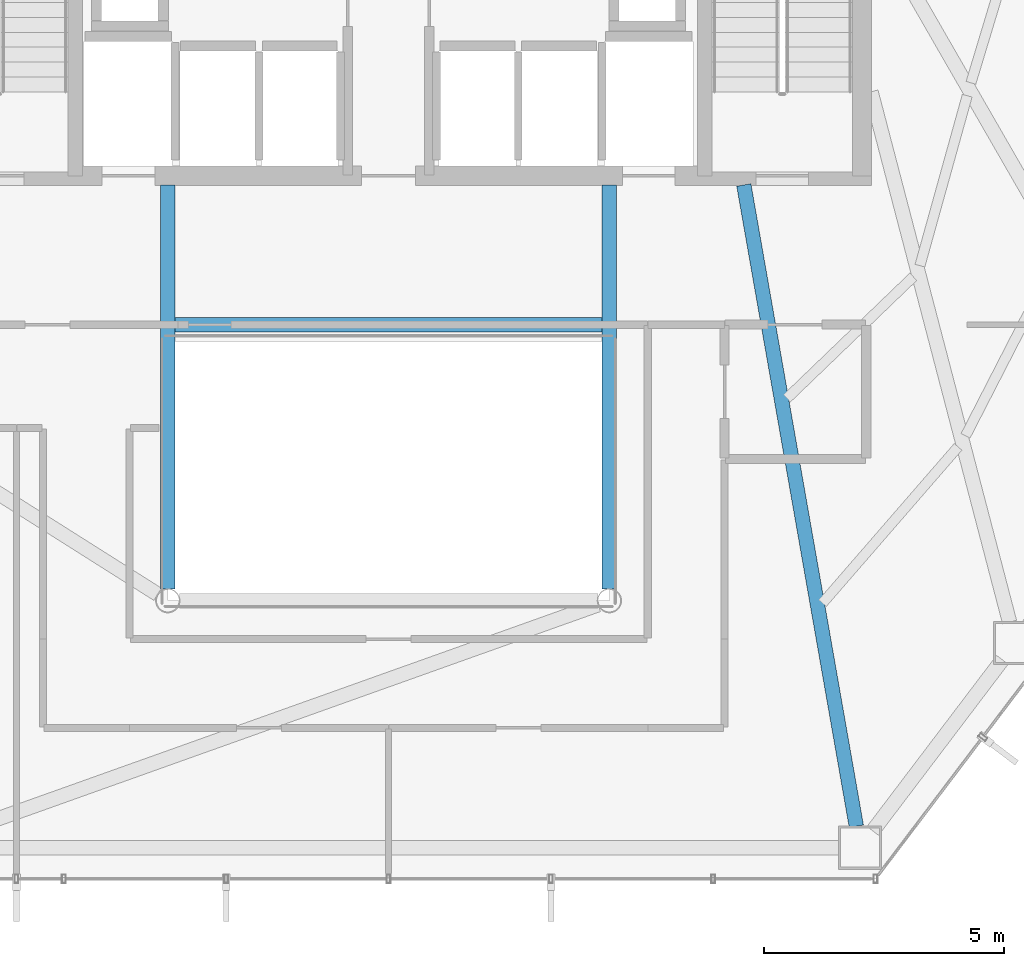
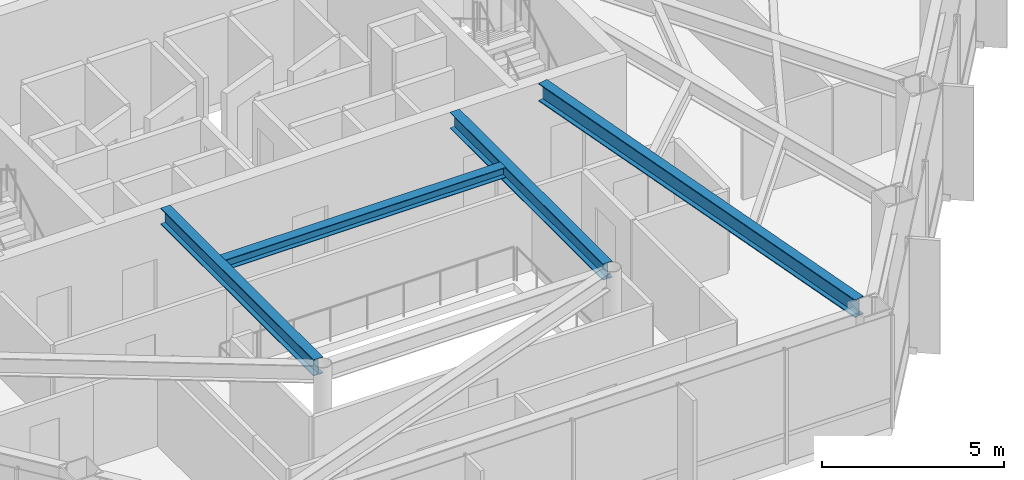
# One storey, part 9 of 24: 4 beams.
"""IFC4 building model written with IfcOpenShell, lengths in metres."""

from ifc_helpers import new_model, si_unit, direction, frame, origin, origin_2d, place, context, subcontext, project, spatial, i_section, extrude, material, material_profile, profile_set, type_object, element, save


model = new_model("IFC4")

# Units and contexts
model_context = context("Model", 3, precision=1e-05, world=origin(), true_north=direction((0.0, 1.0)))
body_context = subcontext(model_context, "Body", "Model", "MODEL_VIEW")
ifc_project = project(units=[si_unit("LENGTHUNIT", "METRE"), si_unit("AREAUNIT", "SQUARE_METRE"), si_unit("VOLUMEUNIT", "CUBIC_METRE"), si_unit("PLANEANGLEUNIT", "RADIAN"), si_unit("MASSUNIT", "GRAM", prefix="KILO")], contexts=[model_context])

# Site, building, storey
site_placement = place(None, origin())
site = spatial("IfcSite", under=ifc_project, at=site_placement, CompositionType="ELEMENT")
building_placement = place(site_placement, origin())
building = spatial("IfcBuilding", under=site, at=building_placement, Name="Zarrinselat Tower", CompositionType="ELEMENT")
storey_placement = place(building_placement, frame((0.0, 0.0, 76.5)))
storey = spatial("IfcBuildingStorey", under=building, at=storey_placement, Name="L18", CompositionType="ELEMENT", Elevation=76.5)

# Beams
ifc_material_1 = material(Name="Steel S355J2", Category="steel")
ifc_material_profile_1 = material_profile(ifc_material_1, i_section(OverallWidth=0.300048828125, OverallDepth=0.35009765625, WebThickness=0.010009765625, FlangeThickness=0.017578125, at=origin_2d()), Name="HEA 360")
ifc_profile_set_1 = profile_set([ifc_material_profile_1], Name="Steel S355J2")
beam_type_1 = type_object("IfcBeamType", Name="BM-HEA360", PredefinedType="LINTEL", material=ifc_profile_set_1)
beam_1_placement = place(storey_placement, frame((33.93994140625, 30.14990234375, 3.64501953125), z_axis=(1.0, 0.0, 0.0), x_axis=(0.0, 1.0, 0.0)))
element("IfcBeam", 1, at=beam_1_placement, inside=storey, type_object=beam_type_1, Name="L18 Lift Lobby Ceiling Beam", PredefinedType="LINTEL", context=body_context, shape_type="SweptSolid", body=[
    extrude(i_section(OverallWidth=0.300048828125, OverallDepth=0.35009765625, WebThickness=0.010009765625, FlangeThickness=0.017578125, at=origin_2d()), origin(), (0.0, 0.0, 1.0), 8.920166015625),
])
ifc_material_2 = material(Name="Steel S355J2", Category="steel")
ifc_material_profile_2 = material_profile(ifc_material_2, i_section(OverallWidth=0.300048828125, OverallDepth=0.550048828125, WebThickness=0.014892578125, FlangeThickness=0.029052734375, at=origin_2d()), Name="HEB 550")
ifc_profile_set_2 = profile_set([ifc_material_profile_2], Name="Steel S355J2")
beam_type_2 = type_object("IfcBeamType", Name="BM-HEB550", PredefinedType="BEAM", material=ifc_profile_set_2)
for number, where, z_axis, x_axis, name in (
    (2, (33.800048828125, 24.639892578125, 3.544921875), (0.0, 1.0, 0.0), (-1.0, 0.0, 0.0), "L18 Atrium Edge Beam W"),
    (3, (43.0, 24.639892578125, 3.544921875), (0.0, 1.0, 0.0), (-1.0, 0.0, 0.0), "L18 Atrium Edge Beam E"),
):
    element("IfcBeam", number, at=place(storey_placement, frame(where, z_axis=z_axis, x_axis=x_axis)), inside=storey, type_object=beam_type_2, Name=name, PredefinedType="BEAM", context=body_context, shape_type="SweptSolid", body=[
        extrude(i_section(OverallWidth=0.300048828125, OverallDepth=0.550048828125, WebThickness=0.014892578125, FlangeThickness=0.029052734375, at=origin_2d()), origin(), (0.0, 0.0, 1.0), 8.420166015625),
    ])
ifc_material_3 = material(Name="Steel S355J2", Category="steel")
ifc_material_profile_3 = material_profile(ifc_material_3, i_section(OverallWidth=0.300048828125, OverallDepth=0.60009765625, WebThickness=0.015380859375, FlangeThickness=0.030029296875, at=origin_2d()), Name="HEB 600")
ifc_profile_set_3 = profile_set([ifc_material_profile_3], Name="Steel S355J2")
beam_type_3 = type_object("IfcBeamType", Name="BM-HEB600", PredefinedType="BEAM", material=ifc_profile_set_3)
beam_2_placement = place(storey_placement, frame((45.800048828125, 33.06005859375, 3.52001953125), z_axis=(0.172810812849, -0.98495503601, 0.0), x_axis=(0.98495503601, 0.172810812849, 0.0)))
element("IfcBeam", 4, at=beam_2_placement, inside=storey, type_object=beam_type_3, Name="L18 Radial Primary Girder RG11", PredefinedType="BEAM", context=body_context, shape_type="SweptSolid", body=[
    extrude(i_section(OverallWidth=0.300048828125, OverallDepth=0.60009765625, WebThickness=0.015380859375, FlangeThickness=0.030029296875, at=origin_2d()), origin(), (0.0, 0.0, 1.0), 13.56396484375),
])

save(model, "model.ifc")
